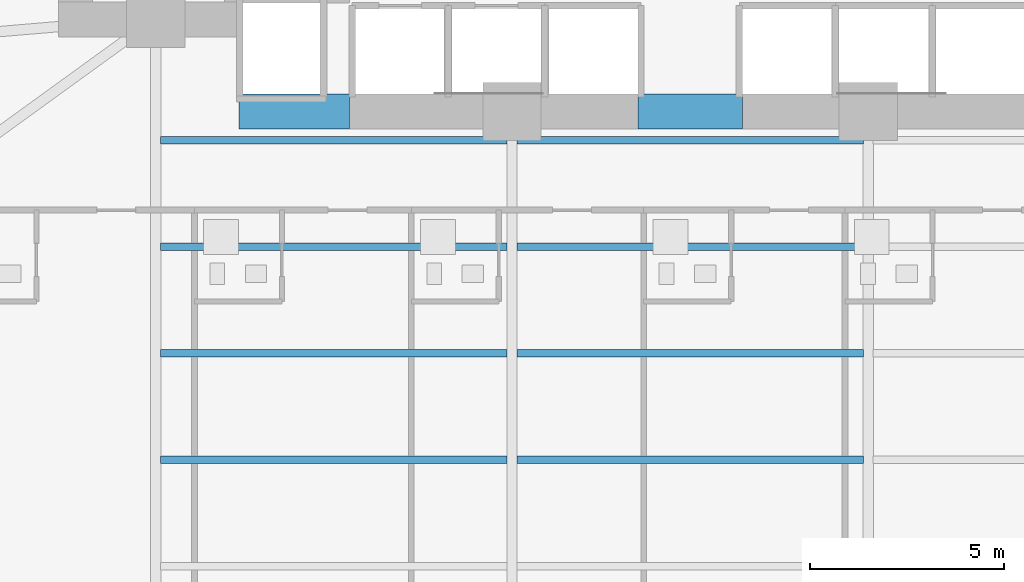
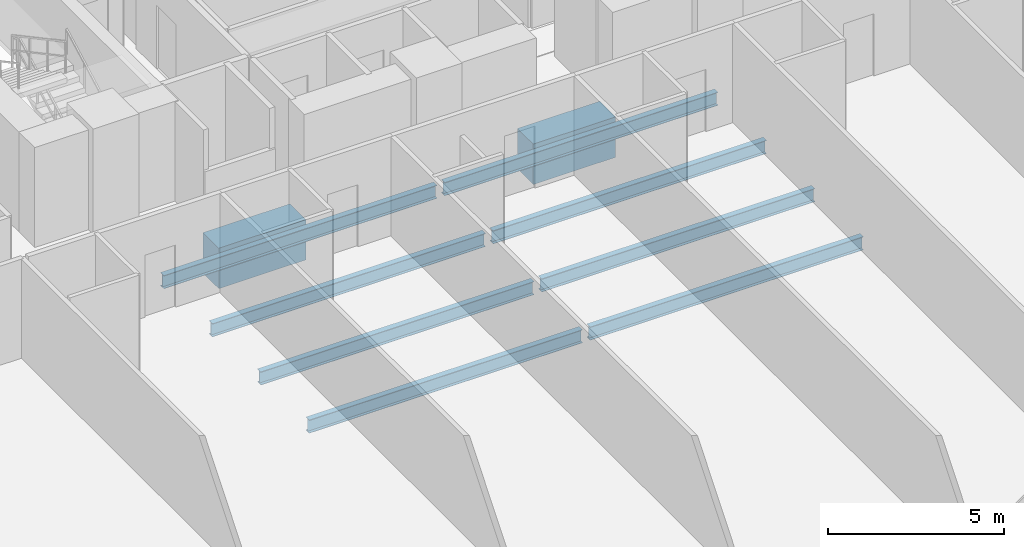
# One storey, part 7 of 28: 10 beams.
"""IFC4 building model written with IfcOpenShell, lengths in metres."""

from ifc_helpers import new_model, si_unit, direction, frame, origin, origin_2d, place, context, subcontext, project, spatial, rectangle, i_section, extrude, material, material_profile, profile_set, type_object, element, save


model = new_model("IFC4")

# Units and contexts
model_context = context("Model", 3, precision=1e-05, world=origin(), true_north=direction((0.0, 1.0)))
body_context = subcontext(model_context, "Body", "Model", "MODEL_VIEW")
ifc_project = project(units=[si_unit("LENGTHUNIT", "METRE"), si_unit("AREAUNIT", "SQUARE_METRE"), si_unit("VOLUMEUNIT", "CUBIC_METRE"), si_unit("PLANEANGLEUNIT", "RADIAN"), si_unit("MASSUNIT", "GRAM", prefix="KILO")], contexts=[model_context])

# Site, building, storey
site_placement = place(None, origin())
site = spatial("IfcSite", under=ifc_project, at=site_placement, CompositionType="ELEMENT")
building_placement = place(site_placement, origin())
building = spatial("IfcBuilding", under=site, at=building_placement, Name="Zuhayl Quay Hotel", CompositionType="ELEMENT")
storey_placement = place(building_placement, frame((0.0, 0.0, 31.25)))
storey = spatial("IfcBuildingStorey", under=building, at=storey_placement, Name="L06", CompositionType="ELEMENT", Elevation=31.25)

# Beams
ifc_material_1 = material(Name="Concrete C60/75", Category="concrete")
ifc_material_profile_1 = material_profile(ifc_material_1, rectangle(XDim=0.89990234375, YDim=1.39990234375, at=origin_2d()), Name="RC900X1400")
ifc_profile_set_1 = profile_set([ifc_material_profile_1], Name="Concrete C60/75")
beam_type_1 = type_object("IfcBeamType", Name="BM_CB1_RC900", PredefinedType="T_BEAM", material=ifc_profile_set_1)
beam_1_placement = place(storey_placement, frame((-11.64990234375, 2.14990234375, -0.919921875), z_axis=(1.0, 0.0, 0.0), x_axis=(0.0, 1.0, 0.0)))
element("IfcBeam", 1, at=beam_1_placement, inside=storey, type_object=beam_type_1, Name="L06 Core Coupling Beam SW", PredefinedType="T_BEAM", context=body_context, shape_type="SweptSolid", body=[
    extrude(rectangle(XDim=0.89990234375, YDim=1.39990234375, at=origin_2d()), origin(), (0.0, 0.0, 1.0), 2.849853515625),
])
beam_2_placement = place(storey_placement, frame((-1.35009765625, 2.14990234375, -0.919921875), z_axis=(1.0, 0.0, 0.0), x_axis=(0.0, 1.0, 0.0)))
element("IfcBeam", 2, at=beam_2_placement, inside=storey, type_object=beam_type_1, Name="L06 Core Coupling Beam South", PredefinedType="T_BEAM", context=body_context, shape_type="SweptSolid", body=[
    extrude(rectangle(XDim=0.89990234375, YDim=1.39990234375, at=origin_2d()), origin(), (0.0, 0.0, 1.0), 2.7001953125),
])
ifc_material_2 = material(Name="Steel ASTM A992 Grade 50", Category="steel")
ifc_material_profile_2 = material_profile(ifc_material_2, i_section(OverallWidth=0.18994140625, OverallDepth=0.45703125, WebThickness=0.009033203125, FlangeThickness=0.014404296875, at=origin_2d()), Name="W18X50")
ifc_profile_set_2 = profile_set([ifc_material_profile_2], Name="Steel ASTM A992 Grade 50")
beam_type_2 = type_object("IfcBeamType", Name="BM_J2_W18X50", PredefinedType="JOIST", material=ifc_profile_set_2)
beam_3_placement = place(storey_placement, frame((-13.674560546875, -6.85009765625, -0.448486328125), z_axis=(1.0, 0.0, 0.0), x_axis=(0.0, 1.0, 0.0)))
element("IfcBeam", 3, at=beam_3_placement, inside=storey, type_object=beam_type_2, Name="L06 Floor Beam FJ_L06_7_1", PredefinedType="JOIST", context=body_context, shape_type="SweptSolid", body=[
    extrude(i_section(OverallWidth=0.18994140625, OverallDepth=0.45703125, WebThickness=0.009033203125, FlangeThickness=0.014404296875, at=origin_2d()), origin(), (0.0, 0.0, 1.0), 8.948974609375),
])
beam_4_placement = place(storey_placement, frame((-4.474609375, -6.85009765625, -0.448486328125), z_axis=(1.0, 0.0, 0.0), x_axis=(0.0, 1.0, 0.0)))
element("IfcBeam", 4, at=beam_4_placement, inside=storey, type_object=beam_type_2, Name="L06 Floor Beam FJ_L06_7_2", PredefinedType="JOIST", context=body_context, shape_type="SweptSolid", body=[
    extrude(i_section(OverallWidth=0.18994140625, OverallDepth=0.45703125, WebThickness=0.009033203125, FlangeThickness=0.014404296875, at=origin_2d()), origin(), (0.0, 0.0, 1.0), 8.94921875),
])
beam_5_placement = place(storey_placement, frame((-13.674560546875, -4.10009765625, -0.448486328125), z_axis=(1.0, 0.0, 0.0), x_axis=(0.0, 1.0, 0.0)))
element("IfcBeam", 5, at=beam_5_placement, inside=storey, type_object=beam_type_2, Name="L06 Floor Beam FJ_L06_8_1", PredefinedType="JOIST", context=body_context, shape_type="SweptSolid", body=[
    extrude(i_section(OverallWidth=0.18994140625, OverallDepth=0.45703125, WebThickness=0.009033203125, FlangeThickness=0.014404296875, at=origin_2d()), origin(), (0.0, 0.0, 1.0), 8.948974609375),
])
beam_6_placement = place(storey_placement, frame((-4.474609375, -4.10009765625, -0.448486328125), z_axis=(1.0, 0.0, 0.0), x_axis=(0.0, 1.0, 0.0)))
element("IfcBeam", 6, at=beam_6_placement, inside=storey, type_object=beam_type_2, Name="L06 Floor Beam FJ_L06_8_2", PredefinedType="JOIST", context=body_context, shape_type="SweptSolid", body=[
    extrude(i_section(OverallWidth=0.18994140625, OverallDepth=0.45703125, WebThickness=0.009033203125, FlangeThickness=0.014404296875, at=origin_2d()), origin(), (0.0, 0.0, 1.0), 8.94921875),
])
beam_7_placement = place(storey_placement, frame((-13.674560546875, -1.35009765625, -0.448486328125), z_axis=(1.0, 0.0, 0.0), x_axis=(0.0, 1.0, 0.0)))
element("IfcBeam", 7, at=beam_7_placement, inside=storey, type_object=beam_type_2, Name="L06 Floor Beam FJ_L06_9_1", PredefinedType="JOIST", context=body_context, shape_type="SweptSolid", body=[
    extrude(i_section(OverallWidth=0.18994140625, OverallDepth=0.45703125, WebThickness=0.009033203125, FlangeThickness=0.014404296875, at=origin_2d()), origin(), (0.0, 0.0, 1.0), 8.948974609375),
])
beam_8_placement = place(storey_placement, frame((-4.474609375, -1.35009765625, -0.448486328125), z_axis=(1.0, 0.0, 0.0), x_axis=(0.0, 1.0, 0.0)))
element("IfcBeam", 8, at=beam_8_placement, inside=storey, type_object=beam_type_2, Name="L06 Floor Beam FJ_L06_9_2", PredefinedType="JOIST", context=body_context, shape_type="SweptSolid", body=[
    extrude(i_section(OverallWidth=0.18994140625, OverallDepth=0.45703125, WebThickness=0.009033203125, FlangeThickness=0.014404296875, at=origin_2d()), origin(), (0.0, 0.0, 1.0), 8.94921875),
])
beam_9_placement = place(storey_placement, frame((-13.674560546875, 1.39990234375, -0.448486328125), z_axis=(1.0, 0.0, 0.0), x_axis=(0.0, 1.0, 0.0)))
element("IfcBeam", 9, at=beam_9_placement, inside=storey, type_object=beam_type_2, Name="L06 Floor Beam FJ_L06_10_1", PredefinedType="JOIST", context=body_context, shape_type="SweptSolid", body=[
    extrude(i_section(OverallWidth=0.18994140625, OverallDepth=0.45703125, WebThickness=0.009033203125, FlangeThickness=0.014404296875, at=origin_2d()), origin(), (0.0, 0.0, 1.0), 8.948974609375),
])
beam_10_placement = place(storey_placement, frame((-4.474609375, 1.39990234375, -0.448486328125), z_axis=(1.0, 0.0, 0.0), x_axis=(0.0, 1.0, 0.0)))
element("IfcBeam", 10, at=beam_10_placement, inside=storey, type_object=beam_type_2, Name="L06 Floor Beam FJ_L06_10_2", PredefinedType="JOIST", context=body_context, shape_type="SweptSolid", body=[
    extrude(i_section(OverallWidth=0.18994140625, OverallDepth=0.45703125, WebThickness=0.009033203125, FlangeThickness=0.014404296875, at=origin_2d()), origin(), (0.0, 0.0, 1.0), 8.94921875),
])

save(model, "model.ifc")
